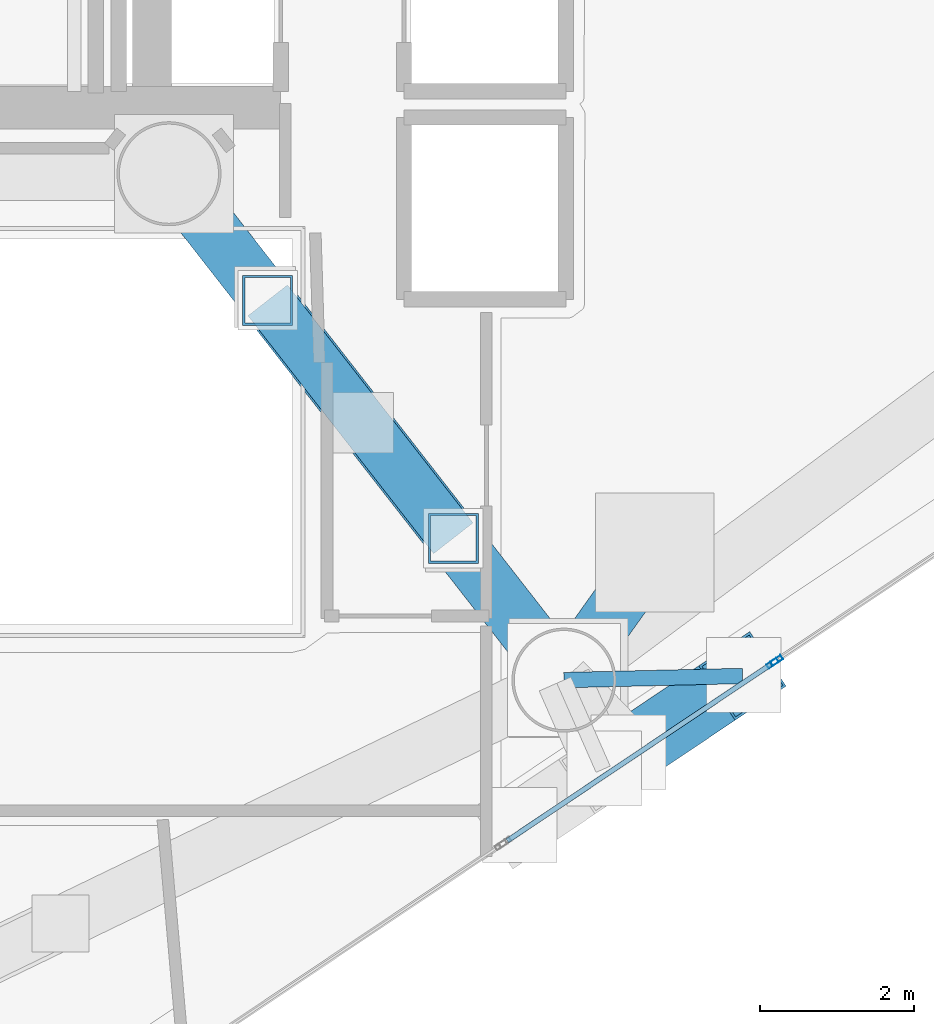
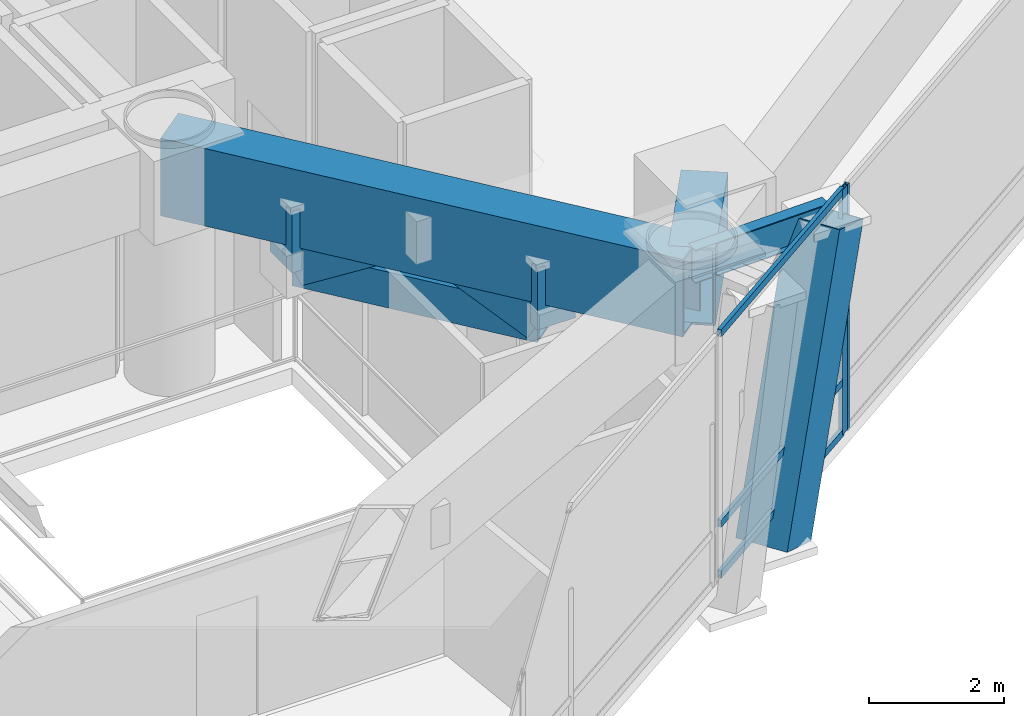
# One storey, part 6 of 22: 11 members, 3 beams, 2 elements without a shape of their own.
"""IFC4 building model written with IfcOpenShell, lengths in metres."""

from ifc_helpers import new_model, si_unit, direction, frame, origin, origin_2d, place, context, subcontext, project, spatial, hollow_rectangle, i_section, extrude, material, layer, layer_set, material_profile, profile_set, type_object, element, aggregate, save


model = new_model("IFC4")

# Units and contexts
model_context = context("Model", 3, precision=1e-05, world=origin(), true_north=direction((0.0, 1.0)))
body_context = subcontext(model_context, "Body", "Model", "MODEL_VIEW")
ifc_project = project(units=[si_unit("LENGTHUNIT", "METRE"), si_unit("AREAUNIT", "SQUARE_METRE"), si_unit("VOLUMEUNIT", "CUBIC_METRE"), si_unit("PLANEANGLEUNIT", "RADIAN"), si_unit("MASSUNIT", "GRAM", prefix="KILO")], contexts=[model_context])

# Site, building, storey
site_placement = place(None, origin())
site = spatial("IfcSite", under=ifc_project, at=site_placement, CompositionType="ELEMENT")
building_placement = place(site_placement, origin())
building = spatial("IfcBuilding", under=site, at=building_placement, Name="Qianvela Tower", CompositionType="ELEMENT")
storey_placement = place(building_placement, frame((0.0, 0.0, 184.60009765625)))
storey = spatial("IfcBuildingStorey", under=building, at=storey_placement, Name="L47", CompositionType="ELEMENT", Elevation=184.60009765625)

# Beams
ifc_material_1 = material(Name="Steel Q355B", Category="steel")
ifc_material_profile_1 = material_profile(ifc_material_1, i_section(OverallWidth=0.199951171875, OverallDepth=0.60009765625, WebThickness=0.010986328125, FlangeThickness=0.01708984375, at=origin_2d()), Name="HN600x200x11x17")
ifc_profile_set_1 = profile_set([ifc_material_profile_1], Name="Steel Q355B")
beam_type_1 = type_object("IfcBeamType", Name="BM-HN600-GIRD", PredefinedType="BEAM", material=ifc_profile_set_1)
beam_1_placement = place(storey_placement, frame((43.52490234375, 17.279052734375, 4.117919921875), z_axis=(0.999731342215, 0.023178511465, 0.0), x_axis=(-0.023178511465, 0.999731342215, 0.0)))
element("IfcBeam", 1, at=beam_1_placement, inside=storey, type_object=beam_type_1, Name="L47 Mega-Brace Column Tie Bracket F3-2", PredefinedType="BEAM", context=body_context, shape_type="SweptSolid", body=[
    extrude(i_section(OverallWidth=0.199951171875, OverallDepth=0.60009765625, WebThickness=0.010986328125, FlangeThickness=0.01708984375, at=origin_2d()), origin(), (0.0, 0.0, 1.0), 2.3173828125),
])
ifc_material_2 = material(Name="Steel Q420GJC", Category="steel")
ifc_material_profile_2 = material_profile(ifc_material_2, hollow_rectangle(XDim=0.699951171875, YDim=1.39990234375, WallThickness=0.0400390625, at=origin_2d()), Name="TG-BOX-1400x700x40")
ifc_profile_set_2 = profile_set([ifc_material_profile_2], Name="Steel Q420GJC")
beam_type_2 = type_object("IfcBeamType", Name="BM-TG-RAD-1400", PredefinedType="BEAM", material=ifc_profile_set_2)
beam_2_placement = place(storey_placement, frame((38.39990234375, 23.85009765625, 3.718017578125), z_axis=(0.615000832816, -0.788526458424, 0.0), x_axis=(0.788526458424, 0.615000832816, 0.0)))
element("IfcBeam", 2, at=beam_2_placement, inside=storey, type_object=beam_type_2, Name="L47 Radial Outrigger Top Transfer Girder 6", PredefinedType="BEAM", context=body_context, shape_type="SweptSolid", body=[
    extrude(hollow_rectangle(XDim=0.699951171875, YDim=1.39990234375, WallThickness=0.0400390625, at=origin_2d()), origin(), (0.0, 0.0, 1.0), 8.333251953125),
])
ifc_material_3 = material(Name="Steel Q420GJC", Category="steel")
ifc_material_profile_3 = material_profile(ifc_material_3, hollow_rectangle(XDim=0.699951171875, YDim=1.39990234375, WallThickness=0.0400390625, at=origin_2d()), Name="TG-BOX-1400x700x40")
ifc_profile_set_3 = profile_set([ifc_material_profile_3], Name="Steel Q420GJC")
beam_type_3 = type_object("IfcBeamType", Name="BM-TG-STEP-1400", PredefinedType="BEAM", material=ifc_profile_set_3)
beam_3_placement = place(storey_placement, frame((43.52490234375, 17.279052734375, 3.718017578125), z_axis=(0.580017762875, 0.814603826869, 0.0), x_axis=(-0.814603826869, 0.580017762875, 0.0)))
element("IfcBeam", 3, at=beam_3_placement, inside=storey, type_object=beam_type_3, Name="L47 Zone-Step Transfer Girder 6", PredefinedType="BEAM", context=body_context, shape_type="SweptSolid", body=[
    extrude(hollow_rectangle(XDim=0.699951171875, YDim=1.39990234375, WallThickness=0.0400390625, at=origin_2d()), origin(), (0.0, 0.0, 1.0), 1.968994140625),
])

# Curtain wall, members
ifc_material_4 = material(Name="Anodised Architectural Aluminium and Insulated Spandrel Panel", Category="aluminium")
ifc_layer_1 = layer(ifc_material_4, 0.179931640625)
ifc_layer_set_1 = layer_set([ifc_layer_1], Name="Anodised Architectural Aluminium and Insulated Spandrel Panel")
curtain_wall_type_1 = type_object("IfcCurtainWallType", Name="CW-BRACEBAY", PredefinedType="USERDEFINED", material=ifc_layer_set_1)
curtain_wall_1_placement = place(storey_placement, origin())
curtain_wall_1 = element("IfcCurtainWall", 4, at=curtain_wall_1_placement, inside=storey, type_object=curtain_wall_type_1, Name="L47 CW-BRACEBAY Curtain Wall 06B", ObjectType="CURTAIN_WALL_SYSTEM", PredefinedType="USERDEFINED")
ifc_material_5 = material(Name="Anodised Architectural Aluminium 6063-T6", Category="aluminium")
ifc_material_profile_4 = material_profile(ifc_material_5, hollow_rectangle(XDim=0.06494140625, YDim=0.159912109375, WallThickness=0.0048828125, at=origin_2d()), Name="ALU-MULL-65x160")
ifc_profile_set_4 = profile_set([ifc_material_profile_4], Name="Anodised Architectural Aluminium 6063-T6")
member_type_1 = type_object("IfcMemberType", Name="CW-BRACEBAY-MULL", PredefinedType="MULLION", material=ifc_profile_set_4)
member_1_placement = place(storey_placement, frame((46.23291015625, 17.498291015625, 0.0), z_axis=(0.0, 0.0, 1.0), x_axis=(-0.556196014843, 0.83105113746, 0.0)))
member_1 = element("IfcMember", 5, at=member_1_placement, type_object=member_type_1, Name="CW-9 mullion 2", PredefinedType="MULLION", context=body_context, shape_type="SweptSolid", body=[
    extrude(hollow_rectangle(XDim=0.06494140625, YDim=0.159912109375, WallThickness=0.0048828125, at=origin_2d()), origin(), (0.0, 0.0, 1.0), 4.419921875),
])
ifc_material_6 = material(Name="Anodised Architectural Aluminium 6063-T6", Category="aluminium")
ifc_material_profile_5 = material_profile(ifc_material_6, hollow_rectangle(XDim=0.06494140625, YDim=0.1298828125, WallThickness=0.00439453125, at=origin_2d()), Name="ALU-TRAN-65x130")
ifc_profile_set_5 = profile_set([ifc_material_profile_5], Name="Anodised Architectural Aluminium 6063-T6")
member_type_2 = type_object("IfcMemberType", Name="CW-BRACEBAY-TRAN", PredefinedType="USERDEFINED", material=ifc_profile_set_5)
member_2_placement = place(storey_placement, frame((42.7900390625, 15.194091796875, 0.032470703125), z_axis=(0.831043723594, 0.556207092255, 0.0), x_axis=(-0.556207092255, 0.831043723594, 0.0)))
member_2 = element("IfcMember", 6, at=member_2_placement, type_object=member_type_2, Name="CW-9 transom 1.1", ObjectType="TRANSOM", PredefinedType="USERDEFINED", context=body_context, shape_type="SweptSolid", body=[
    extrude(hollow_rectangle(XDim=0.06494140625, YDim=0.1298828125, WallThickness=0.00439453125, at=origin_2d()), origin(), (0.0, 0.0, 1.0), 4.110107421875),
])
member_3_placement = place(storey_placement, frame((42.7900390625, 15.194091796875, 0.949951171875), z_axis=(0.831043723594, 0.556207092255, 0.0), x_axis=(-0.556207092255, 0.831043723594, 0.0)))
member_3 = element("IfcMember", 7, at=member_3_placement, type_object=member_type_2, Name="CW-9 transom 1.2", ObjectType="TRANSOM", PredefinedType="USERDEFINED", context=body_context, shape_type="SweptSolid", body=[
    extrude(hollow_rectangle(XDim=0.06494140625, YDim=0.1298828125, WallThickness=0.00439453125, at=origin_2d()), origin(), (0.0, 0.0, 1.0), 4.110107421875),
])
member_4_placement = place(storey_placement, frame((42.7900390625, 15.194091796875, 4.387451171875), z_axis=(0.831043723594, 0.556207092255, 0.0), x_axis=(-0.556207092255, 0.831043723594, 0.0)))
member_4 = element("IfcMember", 8, at=member_4_placement, type_object=member_type_2, Name="CW-9 transom 1.3", ObjectType="TRANSOM", PredefinedType="USERDEFINED", context=body_context, shape_type="SweptSolid", body=[
    extrude(hollow_rectangle(XDim=0.06494140625, YDim=0.1298828125, WallThickness=0.00439453125, at=origin_2d()), origin(), (0.0, 0.0, 1.0), 4.110107421875),
])
aggregate(curtain_wall_1, [member_1, member_2, member_3, member_4])

# Curtain wall, member
ifc_material_7 = material(Name="Anodised Architectural Aluminium and Low-E Glass", Category="aluminium")
ifc_layer_2 = layer(ifc_material_7, 0.169921875)
ifc_layer_set_2 = layer_set([ifc_layer_2], Name="Anodised Architectural Aluminium and Low-E Glass")
curtain_wall_type_2 = type_object("IfcCurtainWallType", Name="CW-COLIV-Z34", PredefinedType="USERDEFINED", material=ifc_layer_set_2)
curtain_wall_2_placement = place(storey_placement, origin())
curtain_wall_2 = element("IfcCurtainWall", 9, at=curtain_wall_2_placement, inside=storey, type_object=curtain_wall_type_2, Name="L47 CW-COLIV-Z34 Curtain Wall 06C", ObjectType="CURTAIN_WALL_SYSTEM", PredefinedType="USERDEFINED")
ifc_material_8 = material(Name="Anodised Architectural Aluminium 6063-T6", Category="aluminium")
ifc_material_profile_6 = material_profile(ifc_material_8, hollow_rectangle(XDim=0.06494140625, YDim=0.159912109375, WallThickness=0.0048828125, at=origin_2d()), Name="ALU-MULL-65x160")
ifc_profile_set_6 = profile_set([ifc_material_profile_6], Name="Anodised Architectural Aluminium 6063-T6")
member_type_3 = type_object("IfcMemberType", Name="CW-COLIV-Z34-MULL", PredefinedType="MULLION", material=ifc_profile_set_6)
member_5_placement = place(storey_placement, frame((46.286865234375, 17.534423828125, 0.0), z_axis=(0.0, 0.0, 1.0), x_axis=(-0.55619398887, 0.831052493375, 0.0)))
member_5 = element("IfcMember", 10, at=member_5_placement, type_object=member_type_3, Name="CW-4 mullion 1", PredefinedType="MULLION", context=body_context, shape_type="SweptSolid", body=[
    extrude(hollow_rectangle(XDim=0.06494140625, YDim=0.159912109375, WallThickness=0.0048828125, at=origin_2d()), origin(), (0.0, 0.0, 1.0), 4.419921875),
])
aggregate(curtain_wall_2, [member_5])

# Members
ifc_material_9 = material(Name="Steel Q420GJC", Category="steel")
ifc_material_profile_7 = material_profile(ifc_material_9, hollow_rectangle(XDim=0.85009765625, YDim=0.85009765625, WallThickness=0.031982421875, at=origin_2d()), Name="MBOX-850x850x32")
ifc_profile_set_7 = profile_set([ifc_material_profile_7], Name="Steel Q420GJC")
member_type_4 = type_object("IfcMemberType", Name="MBR-MBRACE-850", PredefinedType="BRACE", material=ifc_profile_set_7)
member_6_placement = place(storey_placement, frame((44.381591796875, 16.355712890625, -0.60205078125), z_axis=(0.289888061135, 0.194002010144, 0.937191619719), x_axis=(-0.556174588481, 0.83106547704, 0.0)))
element("IfcMember", 11, at=member_6_placement, inside=storey, type_object=member_type_4, Name="L47 Tier 8 Exterior Mega-Brace F3B", PredefinedType="BRACE", context=body_context, shape_type="SweptSolid", body=[
    extrude(hollow_rectangle(XDim=0.85009765625, YDim=0.85009765625, WallThickness=0.031982421875, at=origin_2d()), origin(), (0.0, 0.0, 1.0), 5.036376953125),
])
ifc_material_10 = material(Name="Steel Q420GJC", Category="steel")
ifc_material_profile_8 = material_profile(ifc_material_10, hollow_rectangle(XDim=0.64990234375, YDim=0.64990234375, WallThickness=0.028076171875, at=origin_2d()), Name="OBOX-650x650x28")
ifc_profile_set_8 = profile_set([ifc_material_profile_8], Name="Steel Q420GJC")
member_type_5 = type_object("IfcMemberType", Name="MBR-OUTRIG-650", PredefinedType="BRACE", material=ifc_profile_set_8)
for number, where, z_axis, x_axis, name in (
    (12, (39.68115234375, 22.207275390625, 2.61279296875), (0.0, 0.0, 1.0), (1.0, 0.0, 0.0), "L47 Radial Outrigger Web Post 6A"),
    (13, (42.090087890625, 19.118896484375, 2.61279296875), (0.0, 0.0, 1.0), (1.0, 0.0, 0.0), "L47 Radial Outrigger Web Post 6B"),
):
    element("IfcMember", number, at=place(storey_placement, frame(where, z_axis=z_axis, x_axis=x_axis)), inside=storey, type_object=member_type_5, Name=name, PredefinedType="BRACE", context=body_context, shape_type="SweptSolid", body=[
        extrude(hollow_rectangle(XDim=0.64990234375, YDim=0.64990234375, WallThickness=0.028076171875, at=origin_2d()), origin(), (0.0, 0.0, 1.0), 1.105224609375),
    ])
member_7_placement = place(storey_placement, frame((39.68115234375, 22.207275390625, 2.61279296875), z_axis=(0.615031798694, -0.788502306018, 0.0), x_axis=(0.788502306018, 0.615031798694, 0.0)))
element("IfcMember", 14, at=member_7_placement, inside=storey, type_object=member_type_5, Name="L47 Radial Outrigger Bottom Chord 6", PredefinedType="BRACE", context=body_context, shape_type="SweptSolid", body=[
    extrude(hollow_rectangle(XDim=0.64990234375, YDim=0.64990234375, WallThickness=0.028076171875, at=origin_2d()), origin(), (0.0, 0.0, 1.0), 3.916748046875),
])
for number, where, z_axis, x_axis, name in (
    (15, (39.68115234375, 22.207275390625, 2.61279296875), (0.535582705667, -0.686714091495, 0.491502718134), (0.788532534472, 0.614993042301, 0.0), "L47 Radial Outrigger Diagonal 6A"),
    (16, (40.885498046875, 20.6630859375, 3.718017578125), (0.535660126733, -0.686674159218, -0.491474137357), (0.788472077976, 0.61507055063, 0.0), "L47 Radial Outrigger Diagonal 6B"),
):
    element("IfcMember", number, at=place(storey_placement, frame(where, z_axis=z_axis, x_axis=x_axis)), inside=storey, type_object=member_type_5, Name=name, PredefinedType="BRACE", context=body_context, shape_type="SweptSolid", body=[
        extrude(hollow_rectangle(XDim=0.64990234375, YDim=0.64990234375, WallThickness=0.028076171875, at=origin_2d()), origin(), (0.0, 0.0, 1.0), 2.248779296875),
    ])

save(model, "model.ifc")
